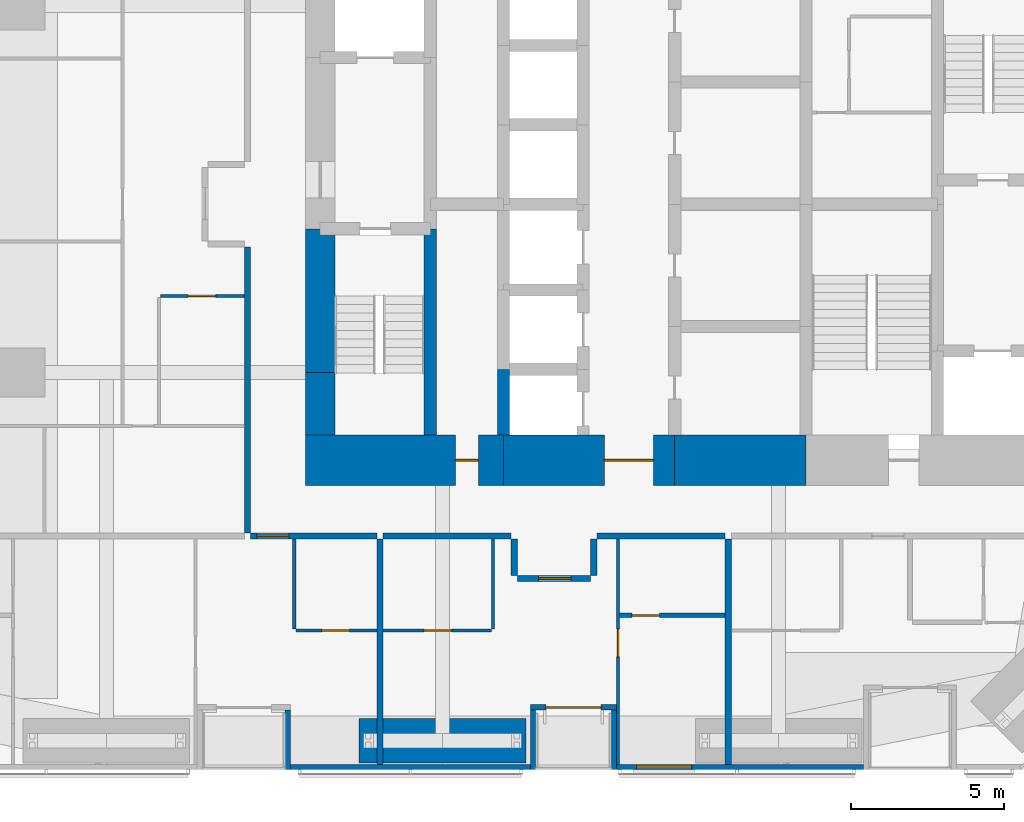
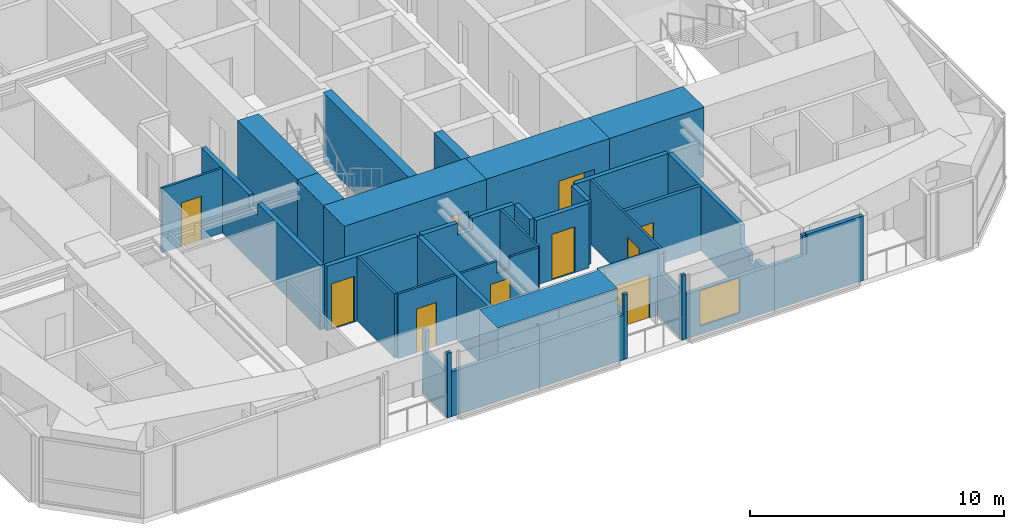
# One storey, part 17 of 23: 30 walls, 10 doors, 1 window, 11 openings.
"""IFC4 building model written with IfcOpenShell, lengths in metres."""

from ifc_helpers import new_model, si_unit, direction, frame, frame_2d, origin, place, context, subcontext, project, spatial, polyline, rectangle, outline, extrude, material, layer, layer_set, constituent, constituent_set, type_object, element, fill, save


model = new_model("IFC4")

# Units and contexts
model_context = context("Model", 3, precision=1e-05, world=origin(), true_north=direction((0.0, 1.0)))
body_context = subcontext(model_context, "Body", "Model", "MODEL_VIEW")
ifc_project = project(units=[si_unit("LENGTHUNIT", "METRE"), si_unit("AREAUNIT", "SQUARE_METRE"), si_unit("VOLUMEUNIT", "CUBIC_METRE"), si_unit("PLANEANGLEUNIT", "RADIAN"), si_unit("MASSUNIT", "GRAM", prefix="KILO")], contexts=[model_context])

# Site, building, storey
site_placement = place(None, origin())
site = spatial("IfcSite", under=ifc_project, at=site_placement, CompositionType="ELEMENT")
building_placement = place(site_placement, origin())
building = spatial("IfcBuilding", under=site, at=building_placement, Name="Jalousie Tower", CompositionType="ELEMENT")
storey_placement = place(building_placement, frame((0.0, 0.0, 31.050048828125)))
storey = spatial("IfcBuildingStorey", under=building, at=storey_placement, Name="L07", CompositionType="ELEMENT", Elevation=31.050048828125)

# Wall, opening, door
ifc_material_1 = material(Name="Concrete block ASTM C90", Category="concrete")
ifc_constituent_1 = constituent(ifc_material_1, Name="Body")
ifc_material_2 = material(Name="Render")
ifc_constituent_2 = constituent(ifc_material_2, Name="Finish")
ifc_constituent_set_1 = constituent_set(constituents=[ifc_constituent_1, ifc_constituent_2])
wall_type_1 = type_object("IfcWallType", Name="BATHROOM WALL 150", PredefinedType="PLUMBINGWALL", material=ifc_constituent_set_1)
wall_1_placement = place(storey_placement, frame((29.800048828125, 5.050048828125, 0.0), z_axis=(0.0, 0.0, 1.0), x_axis=(1.0, 0.0, 0.0)))
wall_1 = element("IfcWall", 1, at=wall_1_placement, inside=storey, type_object=wall_type_1, Name="Bathroom Wall 150 L07", PredefinedType="PLUMBINGWALL", context=body_context, shape_type="SweptSolid", body=[
    extrude(rectangle(XDim=3.449951171875, YDim=0.14990234375, at=frame_2d((1.72509765625, 0.0))), origin(), (0.0, 0.0, 1.0), 3.10986328125),
])
opening_1_placement = place(wall_1_placement, frame((0.39990234375, 0.0, 0.0)))
opening_1 = element("IfcOpeningElement", 2, at=opening_1_placement, cuts=wall_1, Name="Opening D3", PredefinedType="OPENING", context=body_context, shape_type="SweptSolid", body=[
    extrude(rectangle(XDim=0.89990234375, YDim=2.10009765625, at=frame_2d((0.449951171875, 1.050048828125))), frame((0.0, 0.0849609375, 0.0), z_axis=(0.0, -1.0, 0.0), x_axis=(1.0, 0.0, 0.0)), (0.0, 0.0, 1.0), 0.169921875),
])
ifc_material_3 = material(Name="Timber door", Category="wood")
door_type_1 = type_object("IfcDoorType", Name="BATHROOM DOOR 900", OperationType="SINGLE_SWING_LEFT", PredefinedType="DOOR", material=ifc_material_3)
door_1_placement = place(opening_1_placement, origin())
door_1 = element("IfcDoor", 3, at=door_1_placement, inside=storey, type_object=door_type_1, Name="Apartment 0702 bedroom 1 bathroom door", OperationType="SINGLE_SWING_LEFT", OverallHeight=2.10009765625, OverallWidth=0.89990234375, PredefinedType="DOOR", context=body_context, shape_type="SweptSolid", body=[
    extrude(rectangle(XDim=0.89990234375, YDim=2.10009765625, at=frame_2d((0.449951171875, 1.050048828125))), frame((0.0, 0.02490234375, 0.0), z_axis=(0.0, -1.0, 0.0), x_axis=(1.0, 0.0, 0.0)), (0.0, 0.0, 1.0), 0.050048828125),
])
fill(opening_1, door_1)

ifc_material_4 = material(Name="Concrete f'c 120 MPa", Category="concrete")
ifc_layer_1 = layer(ifc_material_4, 1.64990234375)
ifc_layer_set_1 = layer_set([ifc_layer_1], Name="Concrete f'c 120 MPa")
wall_type_2 = type_object("IfcWallType", Name="CORE WALL 1650", PredefinedType="SHEAR", material=ifc_layer_set_1)
wall_2_placement = place(storey_placement, frame((19.52490234375, 10.125, 0.0), z_axis=(0.0, 0.0, 1.0), x_axis=(1.0, 0.0, 0.0)))
wall_2 = element("IfcWall", 4, at=wall_2_placement, inside=storey, type_object=wall_type_2, Name="Core wall SA L07", PredefinedType="SHEAR", context=body_context, shape_type="SweptSolid", body=[
    extrude(rectangle(XDim=6.47509765625, YDim=1.64990234375, at=frame_2d((3.237548828125, 0.0))), origin(), (0.0, 0.0, 1.0), 3.349853515625),
])
opening_2_placement = place(wall_2_placement, frame((4.89990234375, 0.0, 0.0)))
opening_2 = element("IfcOpeningElement", 5, at=opening_2_placement, cuts=wall_2, Name="Opening D16", PredefinedType="OPENING", context=body_context, shape_type="SweptSolid", body=[
    extrude(rectangle(XDim=0.75, YDim=2.10009765625, at=frame_2d((0.375, 1.050048828125))), frame((0.0, 0.8349609375, 0.0), z_axis=(0.0, -1.0, 0.0), x_axis=(1.0, 0.0, 0.0)), (0.0, 0.0, 1.0), 1.669921875),
])
ifc_material_5 = material(Name="Steel fire door", Category="steel")
door_type_2 = type_object("IfcDoorType", Name="RISER DOOR 750", OperationType="SINGLE_SWING_LEFT", PredefinedType="DOOR", material=ifc_material_5)
door_2_placement = place(opening_2_placement, origin())
door_2 = element("IfcDoor", 6, at=door_2_placement, inside=storey, type_object=door_type_2, Name="South riser door", OperationType="SINGLE_SWING_LEFT", OverallHeight=2.10009765625, OverallWidth=0.75, PredefinedType="DOOR", context=body_context, shape_type="SweptSolid", body=[
    extrude(rectangle(XDim=0.75, YDim=2.10009765625, at=frame_2d((0.375, 1.050048828125))), frame((0.0, 0.02490234375, 0.0), z_axis=(0.0, -1.0, 0.0), x_axis=(1.0, 0.0, 0.0)), (0.0, 0.0, 1.0), 0.050048828125),
])
fill(opening_2, door_2)

wall_3_placement = place(storey_placement, frame((26.0, 10.125, 0.0), z_axis=(0.0, 0.0, 1.0), x_axis=(1.0, 0.0, 0.0)))
wall_3 = element("IfcWall", 7, at=wall_3_placement, inside=storey, type_object=wall_type_2, Name="Core wall SB L07", PredefinedType="SHEAR", context=body_context, shape_type="SweptSolid", body=[
    extrude(rectangle(XDim=5.60009765625, YDim=1.64990234375, at=frame_2d((2.800048828125, 0.0))), origin(), (0.0, 0.0, 1.0), 3.349853515625),
])
opening_3_placement = place(wall_3_placement, frame((3.300048828125, 0.0, 0.0)))
opening_3 = element("IfcOpeningElement", 8, at=opening_3_placement, cuts=wall_3, Name="Opening D15", PredefinedType="OPENING", context=body_context, shape_type="SweptSolid", body=[
    extrude(rectangle(XDim=1.60009765625, YDim=2.10009765625, at=frame_2d((0.800048828125, 1.050048828125))), frame((0.0, 0.8349609375, 0.0), z_axis=(0.0, -1.0, 0.0), x_axis=(1.0, 0.0, 0.0)), (0.0, 0.0, 1.0), 1.669921875),
])
ifc_material_6 = material(Name="Steel fire door", Category="steel")
door_type_3 = type_object("IfcDoorType", Name="LIFT LOBBY DOOR 1600", OperationType="DOUBLE_DOOR_SINGLE_SWING", PredefinedType="DOOR", material=ifc_material_6)
door_3_placement = place(opening_3_placement, origin())
door_3 = element("IfcDoor", 9, at=door_3_placement, inside=storey, type_object=door_type_3, Name="Lift lobby south door", OperationType="DOUBLE_DOOR_SINGLE_SWING", OverallHeight=2.10009765625, OverallWidth=1.60009765625, PredefinedType="DOOR", context=body_context, shape_type="SweptSolid", body=[
    extrude(rectangle(XDim=1.60009765625, YDim=2.10009765625, at=frame_2d((0.800048828125, 1.050048828125))), frame((0.0, 0.02490234375, 0.0), z_axis=(0.0, -1.0, 0.0), x_axis=(1.0, 0.0, 0.0)), (0.0, 0.0, 1.0), 0.050048828125),
])
fill(opening_3, door_3)

# Walls
wall_4_placement = place(storey_placement, frame((31.60009765625, 10.125, 0.0), z_axis=(0.0, 0.0, 1.0), x_axis=(1.0, 0.0, 0.0)))
element("IfcWall", 10, at=wall_4_placement, inside=storey, type_object=wall_type_2, Name="Core wall SC L07", PredefinedType="SHEAR", context=body_context, shape_type="SweptSolid", body=[
    extrude(rectangle(XDim=4.2998046875, YDim=1.64990234375, at=frame_2d((2.14990234375, 0.0))), origin(), (0.0, 0.0, 1.0), 3.349853515625),
])
ifc_material_7 = material(Name="Concrete f'c 120 MPa", Category="concrete")
ifc_layer_2 = layer(ifc_material_7, 0.39990234375)
ifc_layer_set_2 = layer_set([ifc_layer_2], Name="Concrete f'c 120 MPa")
wall_type_3 = type_object("IfcWallType", Name="CORE WALL 400", PredefinedType="SHEAR", material=ifc_layer_set_2)
wall_5_placement = place(storey_placement, frame((23.60009765625, 10.949951171875, 0.0), z_axis=(0.0, 0.0, 1.0), x_axis=(0.0, 1.0, 0.0)))
element("IfcWall", 11, at=wall_5_placement, inside=storey, type_object=wall_type_3, Name="Core wall X23.6A L07", PredefinedType="SHEAR", context=body_context, shape_type="SweptSolid", body=[
    extrude(rectangle(XDim=6.75, YDim=0.39990234375, at=frame_2d((3.375, 0.0))), origin(), (0.0, 0.0, 1.0), 3.349853515625),
])
wall_6_placement = place(storey_placement, frame((26.0, 10.949951171875, 0.0), z_axis=(0.0, 0.0, 1.0), x_axis=(0.0, 1.0, 0.0)))
element("IfcWall", 12, at=wall_6_placement, inside=storey, type_object=wall_type_3, Name="Core wall X26A L07", PredefinedType="SHEAR", context=body_context, shape_type="SweptSolid", body=[
    extrude(rectangle(XDim=2.150146484375, YDim=0.39990234375, at=frame_2d((1.0751953125, 0.0))), origin(), (0.0, 0.0, 1.0), 3.349853515625),
])
ifc_material_8 = material(Name="Concrete f'c 120 MPa", Category="concrete")
ifc_layer_3 = layer(ifc_material_8, 0.949951171875)
ifc_layer_set_3 = layer_set([ifc_layer_3], Name="Concrete f'c 120 MPa")
wall_type_4 = type_object("IfcWallType", Name="CORE WALL 950", PredefinedType="SHEAR", material=ifc_layer_set_3)
wall_7_placement = place(storey_placement, frame((20.0, 17.699951171875, 0.0), z_axis=(0.0, 0.0, 1.0), x_axis=(0.0, -1.0, 0.0)))
element("IfcWall", 13, at=wall_7_placement, inside=storey, type_object=wall_type_4, Name="Core wall WC L07", PredefinedType="SHEAR", context=body_context, shape_type="SweptSolid", body=[
    extrude(rectangle(XDim=4.699951171875, YDim=0.949951171875, at=frame_2d((2.35009765625, 0.0))), origin(), (0.0, 0.0, 1.0), 3.349853515625),
])
wall_8_placement = place(storey_placement, frame((20.0, 13.0, 0.0), z_axis=(0.0, 0.0, 1.0), x_axis=(0.0, -1.0, 0.0)))
element("IfcWall", 14, at=wall_8_placement, inside=storey, type_object=wall_type_4, Name="Core wall WD L07", PredefinedType="SHEAR", context=body_context, shape_type="SweptSolid", body=[
    extrude(rectangle(XDim=2.050048828125, YDim=0.949951171875, at=frame_2d((1.02490234375, 0.0))), origin(), (0.0, 0.0, 1.0), 3.349853515625),
])

# Wall, opening, door
ifc_material_9 = material(Name="Concrete block ASTM C90", Category="concrete")
ifc_constituent_3 = constituent(ifc_material_9, Name="Body")
ifc_material_10 = material(Name="Render")
ifc_constituent_4 = constituent(ifc_material_10, Name="Finish")
ifc_constituent_set_2 = constituent_set(constituents=[ifc_constituent_3, ifc_constituent_4])
wall_type_5 = type_object("IfcWallType", Name="CORRIDOR WALL 200", PredefinedType="PARTITIONING", material=ifc_constituent_set_2)
wall_9_placement = place(storey_placement, frame((17.72509765625, 7.64990234375, 0.0), z_axis=(0.0, 0.0, 1.0), x_axis=(1.0, 0.0, 0.0)))
wall_9 = element("IfcWall", 15, at=wall_9_placement, inside=storey, type_object=wall_type_5, Name="Corridor Wall 200 L07", PredefinedType="PARTITIONING", context=body_context, shape_type="SweptSolid", body=[
    extrude(rectangle(XDim=4.125, YDim=0.199951171875, at=frame_2d((2.0625, 0.0))), origin(), (0.0, 0.0, 1.0), 3.10986328125),
])
opening_4_placement = place(wall_9_placement, frame((0.199951171875, 0.0, 0.0)))
opening_4 = element("IfcOpeningElement", 16, at=opening_4_placement, cuts=wall_9, Name="Opening D1", PredefinedType="OPENING", context=body_context, shape_type="SweptSolid", body=[
    extrude(rectangle(XDim=1.050048828125, YDim=2.199951171875, at=frame_2d((0.52490234375, 1.10009765625))), frame((0.0, 0.10986328125, 0.0), z_axis=(0.0, -1.0, 0.0), x_axis=(1.0, 0.0, 0.0)), (0.0, 0.0, 1.0), 0.219970703125),
])
ifc_material_11 = material(Name="Timber fire door", Category="wood")
door_type_4 = type_object("IfcDoorType", Name="APARTMENT ENTRANCE DOOR 1050", OperationType="SINGLE_SWING_LEFT", PredefinedType="DOOR", material=ifc_material_11)
door_4_placement = place(opening_4_placement, frame((1.050048828125, 0.0, 0.0), z_axis=(0.0, 0.0, 1.0), x_axis=(-1.0, 0.0, 0.0)))
door_4 = element("IfcDoor", 17, at=door_4_placement, inside=storey, type_object=door_type_4, Name="Apartment 0701 entrance", OperationType="SINGLE_SWING_LEFT", OverallHeight=2.199951171875, OverallWidth=1.050048828125, PredefinedType="DOOR", context=body_context, shape_type="SweptSolid", body=[
    extrude(rectangle(XDim=1.050048828125, YDim=2.199951171875, at=frame_2d((0.52490234375, 1.10009765625))), frame((0.0, 0.02490234375, 0.0), z_axis=(0.0, -1.0, 0.0), x_axis=(1.0, 0.0, 0.0)), (0.0, 0.0, 1.0), 0.050048828125),
])
fill(opening_4, door_4)

# Walls
wall_10_placement = place(storey_placement, frame((22.050048828125, 7.64990234375, 0.0), z_axis=(0.0, 0.0, 1.0), x_axis=(1.0, 0.0, 0.0)))
element("IfcWall", 18, at=wall_10_placement, inside=storey, type_object=wall_type_5, Name="Corridor Wall 200 L07", PredefinedType="PARTITIONING", context=body_context, shape_type="SweptSolid", body=[
    extrude(outline(polyline([(0.0, 0.0), (4.199951171875, 0.0), (4.199951171875, 3.10986328125), (2.287353515625, 3.10986328125), (2.287353515625, 2.541015625), (1.612548828125, 2.541015625), (1.612548828125, 3.10986328125), (0.0, 3.10986328125), (0.0, 0.0)])), frame((0.0, 0.10009765625, 0.0), z_axis=(0.0, -1.0, 0.0), x_axis=(1.0, 0.0, 0.0)), (0.0, 0.0, 1.0), 0.199951171875),
])
wall_11_placement = place(storey_placement, frame((17.625, 7.75, 0.0), z_axis=(0.0, 0.0, 1.0), x_axis=(0.0, 1.0, 0.0)))
element("IfcWall", 19, at=wall_11_placement, inside=storey, type_object=wall_type_5, Name="Corridor Wall 200 L07", PredefinedType="PARTITIONING", context=body_context, shape_type="SweptSolid", body=[
    extrude(outline(polyline([(0.0, 0.0), (9.35009765625, 0.0), (9.35009765625, 3.10986328125), (5.58740234375, 3.10986328125), (5.58740234375, 2.541015625), (4.91259765625, 2.541015625), (4.91259765625, 3.10986328125), (0.0, 3.10986328125), (0.0, 0.0)])), frame((0.0, 0.10009765625, 0.0), z_axis=(0.0, -1.0, 0.0), x_axis=(1.0, 0.0, 0.0)), (0.0, 0.0, 1.0), 0.199951171875),
])
wall_12_placement = place(storey_placement, frame((29.050048828125, 7.64990234375, 0.0), z_axis=(0.0, 0.0, 1.0), x_axis=(1.0, 0.0, 0.0)))
element("IfcWall", 20, at=wall_12_placement, inside=storey, type_object=wall_type_5, Name="Corridor Wall 200 L07", PredefinedType="PARTITIONING", context=body_context, shape_type="SweptSolid", body=[
    extrude(rectangle(XDim=4.199951171875, YDim=0.199951171875, at=frame_2d((2.10009765625, 0.0))), origin(), (0.0, 0.0, 1.0), 3.10986328125),
])

# Wall, opening, door
wall_13_placement = place(storey_placement, frame((26.449951171875, 6.25, 0.0), z_axis=(0.0, 0.0, 1.0), x_axis=(1.0, 0.0, 0.0)))
wall_13 = element("IfcWall", 21, at=wall_13_placement, inside=storey, type_object=wall_type_5, Name="Corridor Wall 200 L07", PredefinedType="PARTITIONING", context=body_context, shape_type="SweptSolid", body=[
    extrude(rectangle(XDim=2.400146484375, YDim=0.199951171875, at=frame_2d((1.2001953125, 0.0))), origin(), (0.0, 0.0, 1.0), 3.10986328125),
])
opening_5_placement = place(wall_13_placement, frame((0.699951171875, 0.0, 0.0)))
opening_5 = element("IfcOpeningElement", 22, at=opening_5_placement, cuts=wall_13, Name="Opening D1", PredefinedType="OPENING", context=body_context, shape_type="SweptSolid", body=[
    extrude(rectangle(XDim=1.050048828125, YDim=2.199951171875, at=frame_2d((0.52490234375, 1.10009765625))), frame((0.0, 0.10986328125, 0.0), z_axis=(0.0, -1.0, 0.0), x_axis=(1.0, 0.0, 0.0)), (0.0, 0.0, 1.0), 0.219970703125),
])
door_5_placement = place(opening_5_placement, frame((1.050048828125, 0.0, 0.0), z_axis=(0.0, 0.0, 1.0), x_axis=(-1.0, 0.0, 0.0)))
door_5 = element("IfcDoor", 23, at=door_5_placement, inside=storey, type_object=door_type_4, Name="Apartment 0702 entrance", OperationType="SINGLE_SWING_RIGHT", OverallHeight=2.199951171875, OverallWidth=1.050048828125, PredefinedType="DOOR", context=body_context, shape_type="SweptSolid", body=[
    extrude(rectangle(XDim=1.050048828125, YDim=2.199951171875, at=frame_2d((0.52490234375, 1.10009765625))), frame((0.0, 0.02490234375, 0.0), z_axis=(0.0, -1.0, 0.0), x_axis=(1.0, 0.0, 0.0)), (0.0, 0.0, 1.0), 0.050048828125),
])
fill(opening_5, door_5)

# Walls
for number, where, z_axis, x_axis, name in (
    (24, (26.35009765625, 7.550048828125, 0.0), (0.0, 0.0, 1.0), (0.0, -1.0, 0.0), "Corridor Wall 200 L07"),
    (25, (28.949951171875, 7.550048828125, 0.0), (0.0, 0.0, 1.0), (0.0, -1.0, 0.0), "Corridor Wall 200 L07"),
):
    element("IfcWall", number, at=place(storey_placement, frame(where, z_axis=z_axis, x_axis=x_axis)), inside=storey, type_object=wall_type_5, Name=name, PredefinedType="PARTITIONING", context=body_context, shape_type="SweptSolid", body=[
        extrude(rectangle(XDim=1.199951171875, YDim=0.199951171875, at=frame_2d((0.60009765625, 0.0))), origin(), (0.0, 0.0, 1.0), 3.10986328125),
    ])
ifc_material_12 = material(Name="Concrete f'c 40 MPa", Category="concrete")
ifc_constituent_5 = constituent(ifc_material_12, Name="Body")
ifc_material_13 = material(Name="Render, pastel coral")
ifc_constituent_6 = constituent(ifc_material_13, Name="Finish")
ifc_constituent_set_3 = constituent_set(constituents=[ifc_constituent_5, ifc_constituent_6])
wall_type_6 = type_object("IfcWallType", Name="EXTERNAL WALL 175 CORAL RENDER", PredefinedType="SOLIDWALL", material=ifc_constituent_set_3)
wall_14_placement = place(storey_placement, frame((19.02490234375, 0.08740234375, 0.0), z_axis=(0.0, 0.0, 1.0), x_axis=(1.0, 0.0, 0.0)))
element("IfcWall", 26, at=wall_14_placement, inside=storey, type_object=wall_type_6, Name="External Wall 175 Coral Render L07", PredefinedType="SOLIDWALL", context=body_context, shape_type="SweptSolid", body=[
    extrude(rectangle(XDim=7.85009765625, YDim=0.175048828125, at=frame_2d((3.925048828125, 0.0))), origin(), (0.0, 0.0, 1.0), 2.14990234375),
])

# Wall, opening, window
wall_15_placement = place(storey_placement, frame((29.699951171875, 0.08740234375, 0.0), z_axis=(0.0, 0.0, 1.0), x_axis=(1.0, 0.0, 0.0)))
wall_15 = element("IfcWall", 27, at=wall_15_placement, inside=storey, type_object=wall_type_6, Name="External Wall 175 Coral Render L07", PredefinedType="SOLIDWALL", context=body_context, shape_type="SweptSolid", body=[
    extrude(outline(polyline([(0.0, 0.0), (8.074951171875, 0.0), (8.074951171875, 3.10986328125), (5.50390625, 3.10986328125), (5.50390625, 2.14990234375), (5.455810546875, 2.14990234375), (5.455810546875, 3.10986328125), (5.300048828125, 3.10986328125), (5.300048828125, 2.14990234375), (0.0, 2.14990234375), (0.0, 0.0)])), frame((0.0, 0.08740234375, 0.0), z_axis=(0.0, -1.0, 0.0), x_axis=(1.0, 0.0, 0.0)), (0.0, 0.0, 1.0), 0.175048828125),
])
opening_6_placement = place(wall_15_placement, frame((0.64990234375, 0.0, 0.39990234375)))
opening_6 = element("IfcOpeningElement", 28, at=opening_6_placement, cuts=wall_15, Name="Opening W-BED170", PredefinedType="OPENING", context=body_context, shape_type="SweptSolid", body=[
    extrude(rectangle(XDim=1.800048828125, YDim=1.699951171875, at=frame_2d((0.89990234375, 0.85009765625))), frame((0.0, 0.097412109375, 0.0), z_axis=(0.0, -1.0, 0.0), x_axis=(1.0, 0.0, 0.0)), (0.0, 0.0, 1.0), 0.195068359375),
])
ifc_material_14 = material(Name="Aluminium frame, impact-rated glazing", Category="aluminium")
window_type = type_object("IfcWindowType", Name="WINDOW BED 1800x1700", PartitioningType="SINGLE_PANEL", PredefinedType="WINDOW", material=ifc_material_14)
window_placement = place(opening_6_placement, origin())
window = element("IfcWindow", 29, at=window_placement, inside=storey, type_object=window_type, Name="Apartment 0702 bedroom 1 window", OverallHeight=1.699951171875, OverallWidth=1.800048828125, PartitioningType="SINGLE_PANEL", PredefinedType="WINDOW", context=body_context, shape_type="SweptSolid", body=[
    extrude(rectangle(XDim=1.800048828125, YDim=1.699951171875, at=frame_2d((0.89990234375, 0.85009765625))), frame((0.0, 0.030029296875, 0.0), z_axis=(0.0, -1.0, 0.0), x_axis=(1.0, 0.0, 0.0)), (0.0, 0.0, 1.0), 0.06005859375),
])
fill(opening_6, window)

# Wall
wall_16_placement = place(storey_placement, frame((18.9375, 0.0, 0.0), z_axis=(0.0, 0.0, 1.0), x_axis=(0.0, 1.0, 0.0)))
element("IfcWall", 30, at=wall_16_placement, inside=storey, type_object=wall_type_6, Name="External Wall 175 Coral Render L07", PredefinedType="SOLIDWALL", context=body_context, shape_type="SweptSolid", body=[
    extrude(outline(polyline([(0.0, 0.0), (1.949951171875, 0.0), (1.949951171875, 3.10986328125), (1.75, 3.10986328125), (1.75, 2.14990234375), (0.14990234375, 2.14990234375), (0.14990234375, 3.10986328125), (0.0, 3.10986328125), (0.0, 0.0)])), frame((0.0, 0.08740234375, 0.0), z_axis=(0.0, -1.0, 0.0), x_axis=(1.0, 0.0, 0.0)), (0.0, 0.0, 1.0), 0.175048828125),
])

# Wall, opening, door
wall_17_placement = place(storey_placement, frame((26.875, 2.03759765625, 0.0), z_axis=(0.0, 0.0, 1.0), x_axis=(1.0, 0.0, 0.0)))
wall_17 = element("IfcWall", 31, at=wall_17_placement, inside=storey, type_object=wall_type_6, Name="External Wall 175 Coral Render L07", PredefinedType="SOLIDWALL", context=body_context, shape_type="SweptSolid", body=[
    extrude(rectangle(XDim=2.824951171875, YDim=0.175048828125, at=frame_2d((1.41259765625, 0.0))), origin(), (0.0, 0.0, 1.0), 3.10986328125),
])
opening_7_placement = place(wall_17_placement, frame((0.512451171875, 0.0, 0.0)))
opening_7 = element("IfcOpeningElement", 32, at=opening_7_placement, cuts=wall_17, Name="Opening D-BAL21", PredefinedType="OPENING", context=body_context, shape_type="SweptSolid", body=[
    extrude(rectangle(XDim=1.800048828125, YDim=2.10009765625, at=frame_2d((0.89990234375, 1.050048828125))), frame((0.0, 0.097412109375, 0.0), z_axis=(0.0, -1.0, 0.0), x_axis=(1.0, 0.0, 0.0)), (0.0, 0.0, 1.0), 0.195068359375),
])
ifc_material_15 = material(Name="Aluminium frame, impact-rated glazing", Category="aluminium")
door_type_5 = type_object("IfcDoorType", Name="BALCONY DOOR 1800x2100", OperationType="SLIDING_TO_LEFT", PredefinedType="DOOR", material=ifc_material_15)
door_6_placement = place(opening_7_placement, origin())
door_6 = element("IfcDoor", 33, at=door_6_placement, inside=storey, type_object=door_type_5, Name="Apartment 0702 living and dining room loggia door", OperationType="SLIDING_TO_LEFT", OverallHeight=2.10009765625, OverallWidth=1.800048828125, PredefinedType="DOOR", context=body_context, shape_type="SweptSolid", body=[
    extrude(rectangle(XDim=1.800048828125, YDim=2.10009765625, at=frame_2d((0.89990234375, 1.050048828125))), frame((0.0, 0.02490234375, 0.0), z_axis=(0.0, -1.0, 0.0), x_axis=(1.0, 0.0, 0.0)), (0.0, 0.0, 1.0), 0.050048828125),
])
fill(opening_7, door_6)

# Walls
for number, where, z_axis, x_axis, name in (
    (34, (26.96240234375, 0.0, 0.0), (0.0, 0.0, 1.0), (0.0, 1.0, 0.0), "External Wall 175 Coral Render L07"),
    (35, (29.612548828125, 0.0, 0.0), (0.0, 0.0, 1.0), (0.0, 1.0, 0.0), "External Wall 175 Coral Render L07"),
):
    element("IfcWall", number, at=place(storey_placement, frame(where, z_axis=z_axis, x_axis=x_axis)), inside=storey, type_object=wall_type_6, Name=name, PredefinedType="SOLIDWALL", context=body_context, shape_type="SweptSolid", body=[
        extrude(outline(polyline([(0.0, 0.0), (1.949951171875, 0.0), (1.949951171875, 3.10986328125), (1.75, 3.10986328125), (1.75, 2.14990234375), (0.14990234375, 2.14990234375), (0.14990234375, 3.10986328125), (0.0, 3.10986328125), (0.0, 0.0)])), frame((0.0, 0.08740234375, 0.0), z_axis=(0.0, -1.0, 0.0), x_axis=(1.0, 0.0, 0.0)), (0.0, 0.0, 1.0), 0.175048828125),
    ])

# Wall, opening, door
ifc_material_16 = material(Name="Gypsum board", Category="gypsum")
ifc_constituent_7 = constituent(ifc_material_16, Name="Body")
ifc_material_17 = material(Name="Light-gauge steel studs ASTM A653 SS Grade 33", Category="steel")
ifc_constituent_8 = constituent(ifc_material_17, Name="Framing")
ifc_constituent_set_4 = constituent_set(constituents=[ifc_constituent_7, ifc_constituent_8])
wall_type_7 = type_object("IfcWallType", Name="PARTITION 100", PredefinedType="PARTITIONING", material=ifc_constituent_set_4)
wall_18_placement = place(storey_placement, frame((19.199951171875, 4.550048828125, 0.0), z_axis=(0.0, 0.0, 1.0), x_axis=(1.0, 0.0, 0.0)))
wall_18 = element("IfcWall", 36, at=wall_18_placement, inside=storey, type_object=wall_type_7, Name="Partition 100 L07", PredefinedType="PARTITIONING", context=body_context, shape_type="SweptSolid", body=[
    extrude(rectangle(XDim=2.650146484375, YDim=0.10009765625, at=frame_2d((1.3251953125, 0.0))), origin(), (0.0, 0.0, 1.0), 3.10986328125),
])
opening_8_placement = place(wall_18_placement, frame((0.85009765625, 0.0, 0.0)))
opening_8 = element("IfcOpeningElement", 37, at=opening_8_placement, cuts=wall_18, Name="Opening D7", PredefinedType="OPENING", context=body_context, shape_type="SweptSolid", body=[
    extrude(rectangle(XDim=0.89990234375, YDim=2.10009765625, at=frame_2d((0.449951171875, 1.050048828125))), frame((0.0, 0.06005859375, 0.0), z_axis=(0.0, -1.0, 0.0), x_axis=(1.0, 0.0, 0.0)), (0.0, 0.0, 1.0), 0.1201171875),
])
ifc_material_18 = material(Name="Timber door", Category="wood")
door_type_6 = type_object("IfcDoorType", Name="INTERNAL DOOR 900", OperationType="SINGLE_SWING_LEFT", PredefinedType="DOOR", material=ifc_material_18)
door_7_placement = place(opening_8_placement, origin())
door_7 = element("IfcDoor", 38, at=door_7_placement, inside=storey, type_object=door_type_6, Name="Apartment 0701 kitchen door", OperationType="SINGLE_SWING_LEFT", OverallHeight=2.10009765625, OverallWidth=0.89990234375, PredefinedType="DOOR", context=body_context, shape_type="SweptSolid", body=[
    extrude(rectangle(XDim=0.89990234375, YDim=2.10009765625, at=frame_2d((0.449951171875, 1.050048828125))), frame((0.0, 0.02490234375, 0.0), z_axis=(0.0, -1.0, 0.0), x_axis=(1.0, 0.0, 0.0)), (0.0, 0.0, 1.0), 0.050048828125),
])
fill(opening_8, door_7)

# Wall
wall_19_placement = place(storey_placement, frame((19.14990234375, 4.60009765625, 0.0), z_axis=(0.0, 0.0, 1.0), x_axis=(0.0, 1.0, 0.0)))
element("IfcWall", 39, at=wall_19_placement, inside=storey, type_object=wall_type_7, Name="Partition 100 L07", PredefinedType="PARTITIONING", context=body_context, shape_type="SweptSolid", body=[
    extrude(rectangle(XDim=2.949951171875, YDim=0.10009765625, at=frame_2d((1.47509765625, 0.0))), origin(), (0.0, 0.0, 1.0), 3.10986328125),
])

# Wall, opening, door
wall_20_placement = place(storey_placement, frame((29.75, 0.175048828125, 0.0), z_axis=(0.0, 0.0, 1.0), x_axis=(0.0, 1.0, 0.0)))
wall_20 = element("IfcWall", 40, at=wall_20_placement, inside=storey, type_object=wall_type_7, Name="Partition 100 L07", PredefinedType="PARTITIONING", context=body_context, shape_type="SweptSolid", body=[
    extrude(outline(polyline([(0.0, 0.0), (7.375, 0.0), (7.375, 3.10986328125), (1.635009765625, 3.10986328125), (1.635009765625, 2.14990234375), (0.0, 2.14990234375), (0.0, 3.10986328125), (0.0, 0.0)])), frame((0.0, 0.050048828125, 0.0), z_axis=(0.0, -1.0, 0.0), x_axis=(1.0, 0.0, 0.0)), (0.0, 0.0, 1.0), 0.10009765625),
])
opening_9_placement = place(wall_20_placement, frame((3.52490234375, 0.0, 0.0)))
opening_9 = element("IfcOpeningElement", 41, at=opening_9_placement, cuts=wall_20, Name="Opening D2", PredefinedType="OPENING", context=body_context, shape_type="SweptSolid", body=[
    extrude(rectangle(XDim=0.89990234375, YDim=2.10009765625, at=frame_2d((0.449951171875, 1.050048828125))), frame((0.0, 0.06005859375, 0.0), z_axis=(0.0, -1.0, 0.0), x_axis=(1.0, 0.0, 0.0)), (0.0, 0.0, 1.0), 0.1201171875),
])
ifc_material_19 = material(Name="Timber door", Category="wood")
door_type_7 = type_object("IfcDoorType", Name="BEDROOM DOOR 900", OperationType="SINGLE_SWING_LEFT", PredefinedType="DOOR", material=ifc_material_19)
door_8_placement = place(opening_9_placement, frame((0.89990234375, 0.0, 0.0), z_axis=(0.0, 0.0, 1.0), x_axis=(-1.0, 0.0, 0.0)))
door_8 = element("IfcDoor", 42, at=door_8_placement, inside=storey, type_object=door_type_7, Name="Apartment 0702 bedroom 1 door", OperationType="SINGLE_SWING_LEFT", OverallHeight=2.10009765625, OverallWidth=0.89990234375, PredefinedType="DOOR", context=body_context, shape_type="SweptSolid", body=[
    extrude(rectangle(XDim=0.89990234375, YDim=2.10009765625, at=frame_2d((0.449951171875, 1.050048828125))), frame((0.0, 0.02490234375, 0.0), z_axis=(0.0, -1.0, 0.0), x_axis=(1.0, 0.0, 0.0)), (0.0, 0.0, 1.0), 0.050048828125),
])
fill(opening_9, door_8)

wall_21_placement = place(storey_placement, frame((22.050048828125, 4.550048828125, 0.0), z_axis=(0.0, 0.0, 1.0), x_axis=(1.0, 0.0, 0.0)))
wall_21 = element("IfcWall", 43, at=wall_21_placement, inside=storey, type_object=wall_type_7, Name="Partition 100 L07", PredefinedType="PARTITIONING", context=body_context, shape_type="SweptSolid", body=[
    extrude(outline(polyline([(0.0, 0.0), (3.550048828125, 0.0), (3.550048828125, 3.10986328125), (2.2373046875, 3.10986328125), (2.2373046875, 2.541015625), (1.66259765625, 2.541015625), (1.66259765625, 3.10986328125), (0.0, 3.10986328125), (0.0, 0.0)])), frame((0.0, 0.050048828125, 0.0), z_axis=(0.0, -1.0, 0.0), x_axis=(1.0, 0.0, 0.0)), (0.0, 0.0, 1.0), 0.10009765625),
])
opening_10_placement = place(wall_21_placement, frame((1.35009765625, 0.0, 0.0)))
opening_10 = element("IfcOpeningElement", 44, at=opening_10_placement, cuts=wall_21, Name="Opening D7", PredefinedType="OPENING", context=body_context, shape_type="SweptSolid", body=[
    extrude(rectangle(XDim=0.89990234375, YDim=2.10009765625, at=frame_2d((0.449951171875, 1.050048828125))), frame((0.0, 0.06005859375, 0.0), z_axis=(0.0, -1.0, 0.0), x_axis=(1.0, 0.0, 0.0)), (0.0, 0.0, 1.0), 0.1201171875),
])
door_9_placement = place(opening_10_placement, frame((0.89990234375, 0.0, 0.0), z_axis=(0.0, 0.0, 1.0), x_axis=(-1.0, 0.0, 0.0)))
door_9 = element("IfcDoor", 45, at=door_9_placement, inside=storey, type_object=door_type_6, Name="Apartment 0702 kitchen door", OperationType="SINGLE_SWING_RIGHT", OverallHeight=2.10009765625, OverallWidth=0.89990234375, PredefinedType="DOOR", context=body_context, shape_type="SweptSolid", body=[
    extrude(rectangle(XDim=0.89990234375, YDim=2.10009765625, at=frame_2d((0.449951171875, 1.050048828125))), frame((0.0, 0.02490234375, 0.0), z_axis=(0.0, -1.0, 0.0), x_axis=(1.0, 0.0, 0.0)), (0.0, 0.0, 1.0), 0.050048828125),
])
fill(opening_10, door_9)

# Wall
wall_22_placement = place(storey_placement, frame((25.64990234375, 4.60009765625, 0.0), z_axis=(0.0, 0.0, 1.0), x_axis=(0.0, 1.0, 0.0)))
element("IfcWall", 46, at=wall_22_placement, inside=storey, type_object=wall_type_7, Name="Partition 100 L07", PredefinedType="PARTITIONING", context=body_context, shape_type="SweptSolid", body=[
    extrude(rectangle(XDim=2.949951171875, YDim=0.10009765625, at=frame_2d((1.47509765625, 0.0))), origin(), (0.0, 0.0, 1.0), 3.10986328125),
])

# Wall, opening, door
wall_23_placement = place(storey_placement, frame((14.77490234375, 15.5, 0.0), z_axis=(0.0, 0.0, 1.0), x_axis=(1.0, 0.0, 0.0)))
wall_23 = element("IfcWall", 47, at=wall_23_placement, inside=storey, type_object=wall_type_7, Name="Partition 100 L07", PredefinedType="PARTITIONING", context=body_context, shape_type="SweptSolid", body=[
    extrude(rectangle(XDim=2.75, YDim=0.10009765625, at=frame_2d((1.375, 0.0))), origin(), (0.0, 0.0, 1.0), 3.10986328125),
])
opening_11_placement = place(wall_23_placement, frame((0.89990234375, 0.0, 0.0)))
opening_11 = element("IfcOpeningElement", 48, at=opening_11_placement, cuts=wall_23, Name="Opening D7", PredefinedType="OPENING", context=body_context, shape_type="SweptSolid", body=[
    extrude(rectangle(XDim=0.89990234375, YDim=2.10009765625, at=frame_2d((0.449951171875, 1.050048828125))), frame((0.0, 0.06005859375, 0.0), z_axis=(0.0, -1.0, 0.0), x_axis=(1.0, 0.0, 0.0)), (0.0, 0.0, 1.0), 0.1201171875),
])
door_10_placement = place(opening_11_placement, frame((0.89990234375, 0.0, 0.0), z_axis=(0.0, 0.0, 1.0), x_axis=(-1.0, 0.0, 0.0)))
door_10 = element("IfcDoor", 49, at=door_10_placement, inside=storey, type_object=door_type_6, Name="Apartment 0706 kitchen door", OperationType="SINGLE_SWING_RIGHT", OverallHeight=2.10009765625, OverallWidth=0.89990234375, PredefinedType="DOOR", context=body_context, shape_type="SweptSolid", body=[
    extrude(rectangle(XDim=0.89990234375, YDim=2.10009765625, at=frame_2d((0.449951171875, 1.050048828125))), frame((0.0, 0.02490234375, 0.0), z_axis=(0.0, -1.0, 0.0), x_axis=(1.0, 0.0, 0.0)), (0.0, 0.0, 1.0), 0.050048828125),
])
fill(opening_11, door_10)

# Walls
ifc_material_20 = material(Name="Concrete block ASTM C90", Category="concrete")
ifc_constituent_9 = constituent(ifc_material_20, Name="Body")
ifc_material_21 = material(Name="Render")
ifc_constituent_10 = constituent(ifc_material_21, Name="Finish")
ifc_constituent_set_5 = constituent_set(constituents=[ifc_constituent_9, ifc_constituent_10])
wall_type_8 = type_object("IfcWallType", Name="PARTY WALL 200", PredefinedType="PARTITIONING", material=ifc_constituent_set_5)
wall_24_placement = place(storey_placement, frame((21.949951171875, 0.175048828125, 0.0), z_axis=(0.0, 0.0, 1.0), x_axis=(0.0, 1.0, 0.0)))
element("IfcWall", 50, at=wall_24_placement, inside=storey, type_object=wall_type_8, Name="Party Wall 200 L07", PredefinedType="PARTITIONING", context=body_context, shape_type="SweptSolid", body=[
    extrude(outline(polyline([(0.52880859375, 2.14990234375), (0.0, 2.14990234375), (0.0, 0.0), (0.52880859375, 0.0), (0.52880859375, 0.08984375), (1.021240234375, 0.08984375), (1.021240234375, 0.0), (7.375, 0.0), (7.375, 3.10986328125), (1.68505859375, 3.10986328125), (1.68505859375, 2.14990234375), (1.021240234375, 2.14990234375), (1.021240234375, 2.06005859375), (0.52880859375, 2.06005859375), (0.52880859375, 2.14990234375)])), frame((0.0, 0.10009765625, 0.0), z_axis=(0.0, -1.0, 0.0), x_axis=(1.0, 0.0, 0.0)), (0.0, 0.0, 1.0), 0.199951171875),
])
wall_25_placement = place(storey_placement, frame((33.35009765625, 0.175048828125, 0.0), z_axis=(0.0, 0.0, 1.0), x_axis=(0.0, 1.0, 0.0)))
element("IfcWall", 51, at=wall_25_placement, inside=storey, type_object=wall_type_8, Name="Party Wall 200 L07", PredefinedType="PARTITIONING", context=body_context, shape_type="SweptSolid", body=[
    extrude(outline(polyline([(0.52880859375, 2.14990234375), (0.0, 2.14990234375), (0.0, 0.0), (0.52880859375, 0.0), (0.52880859375, 0.3662109375), (1.021240234375, 0.3662109375), (1.021240234375, 0.0), (7.375, 0.0), (7.375, 3.10986328125), (1.68505859375, 3.10986328125), (1.68505859375, 2.14990234375), (1.021240234375, 2.14990234375), (1.021240234375, 1.78369140625), (0.52880859375, 1.78369140625), (0.52880859375, 2.14990234375)])), frame((0.0, 0.10009765625, 0.0), z_axis=(0.0, -1.0, 0.0), x_axis=(1.0, 0.0, 0.0)), (0.0, 0.0, 1.0), 0.199951171875),
])
ifc_material_22 = material(Name="Concrete f'c 120 MPa", Category="concrete")
ifc_layer_4 = layer(ifc_material_22, 1.449951171875)
ifc_layer_set_4 = layer_set([ifc_layer_4], Name="Concrete f'c 120 MPa")
wall_type_9 = type_object("IfcWallType", Name="RC WALL PIER 1450", PredefinedType="SHEAR", material=ifc_layer_set_4)
wall_26_placement = place(storey_placement, frame((21.27490234375, 0.949951171875, 0.0), z_axis=(0.0, 0.0, 1.0), x_axis=(1.0, 0.0, 0.0)))
element("IfcWall", 52, at=wall_26_placement, inside=storey, type_object=wall_type_9, Name="Wall pier 03 L07", PredefinedType="SHEAR", context=body_context, shape_type="SweptSolid", body=[
    extrude(rectangle(XDim=5.4501953125, YDim=1.449951171875, at=frame_2d((2.72509765625, 0.0))), origin(), (0.0, 0.0, 1.0), 3.349853515625),
])

save(model, "model.ifc")
